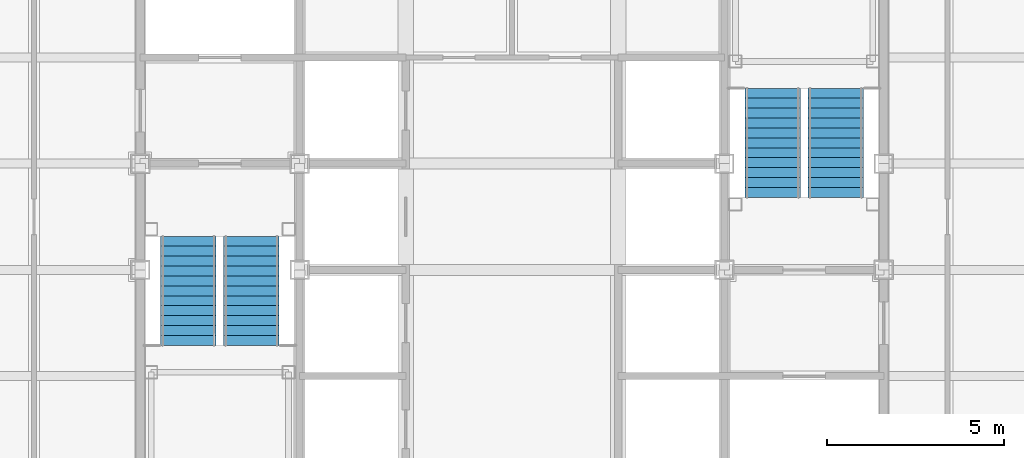
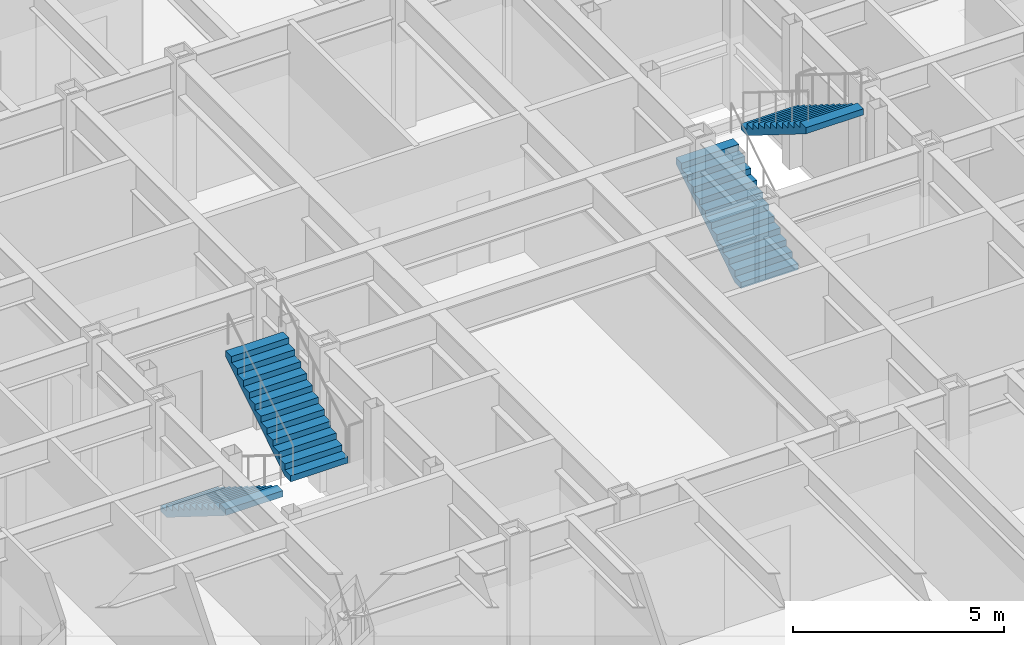
# One storey, part 14 of 16: 4 stair flights, 2 elements without a shape of their own.
"""IFC4 building model written with IfcOpenShell, lengths in metres."""

from ifc_helpers import new_model, si_unit, direction, frame, origin, place, context, subcontext, project, spatial, faceted_brep, material, type_object, element, aggregate, save


model = new_model("IFC4")

# Units and contexts
model_context = context("Model", 3, precision=1e-05, world=origin(), true_north=direction((0.0, 1.0)))
body_context = subcontext(model_context, "Body", "Model", "MODEL_VIEW")
ifc_project = project(units=[si_unit("LENGTHUNIT", "METRE"), si_unit("AREAUNIT", "SQUARE_METRE"), si_unit("VOLUMEUNIT", "CUBIC_METRE"), si_unit("PLANEANGLEUNIT", "RADIAN"), si_unit("MASSUNIT", "GRAM", prefix="KILO")], contexts=[model_context])

# Site, building, storey
site_placement = place(None, origin())
site = spatial("IfcSite", under=ifc_project, at=site_placement, CompositionType="ELEMENT")
building_placement = place(site_placement, origin())
building = spatial("IfcBuilding", under=site, at=building_placement, Name="Chuquiago Exchange Tower", CompositionType="ELEMENT")
storey_placement = place(building_placement, frame((0.0, 0.0, 239.10009765625)))
storey = spatial("IfcBuildingStorey", under=building, at=storey_placement, Name="L53", CompositionType="ELEMENT", Elevation=239.10009765625)

# Stair, stair flights
ifc_material_1 = material(Name="Concrete C30/37, precast", Category="concrete")
stair_type_1 = type_object("IfcStairType", Name="ST1 half-turn stair 4200", PredefinedType="HALF_TURN_STAIR", material=ifc_material_1)
stair_1_placement = place(storey_placement, origin())
stair_1 = element("IfcStair", 1, at=stair_1_placement, inside=storey, type_object=stair_type_1, Name="Stair ST1 L53", PredefinedType="HALF_TURN_STAIR")
ifc_material_2 = material(Name="Concrete C30/37, precast", Category="concrete")
stair_flight_type = type_object("IfcStairFlightType", Name="ST-F flight 1570 for 4200 storey", PredefinedType="STRAIGHT", material=ifc_material_2)
stair_flight_1_placement = place(storey_placement, frame((13.360107421875, 21.949951171875, 0.0), z_axis=(0.0, 0.0, 1.0), x_axis=(0.0, -1.0, 0.0)))
stair_flight_1 = element("IfcStairFlight", 2, at=stair_flight_1_placement, type_object=stair_flight_type, Name="ST1 flight 1", NumberOfRisers=12, NumberOfTreads=11, PredefinedType="STRAIGHT", RiserHeight=0.175, TreadLength=0.28, context=body_context, shape_type="Brep", body=[
    faceted_brep([(0.0, 0.78515625, 0.0), (0.0, 0.78515625, 0.175048828125), (0.280029296875, 0.78515625, 0.175048828125), (0.280029296875, 0.78515625, 0.35009765625), (0.56005859375, 0.78515625, 0.35009765625), (0.56005859375, 0.78515625, 0.52490234375), (0.840087890625, 0.78515625, 0.52490234375), (0.840087890625, 0.78515625, 0.699951171875), (1.1201171875, 0.78515625, 0.699951171875), (1.1201171875, 0.78515625, 0.875), (1.39990234375, 0.78515625, 0.875), (1.39990234375, 0.78515625, 1.050048828125), (1.679931640625, 0.78515625, 1.050048828125), (1.679931640625, 0.78515625, 1.22509765625), (1.9599609375, 0.78515625, 1.22509765625), (1.9599609375, 0.78515625, 1.39990234375), (2.239990234375, 0.78515625, 1.39990234375), (2.239990234375, 0.78515625, 1.574951171875), (2.52001953125, 0.78515625, 1.574951171875), (2.52001953125, 0.78515625, 1.75), (2.800048828125, 0.78515625, 1.75), (2.800048828125, 0.78515625, 1.925048828125), (3.080078125, 0.78515625, 1.925048828125), (3.080078125, 0.78515625, 1.748291015625), (0.28271484375, 0.78515625, 0.0), (0.28271484375, -0.78515625, 0.0), (3.080078125, -0.78515625, 1.748291015625), (3.080078125, -0.78515625, 1.925048828125), (2.800048828125, -0.78515625, 1.925048828125), (2.800048828125, -0.78515625, 1.75), (2.52001953125, -0.78515625, 1.75), (2.52001953125, -0.78515625, 1.574951171875), (2.239990234375, -0.78515625, 1.574951171875), (2.239990234375, -0.78515625, 1.39990234375), (1.9599609375, -0.78515625, 1.39990234375), (1.9599609375, -0.78515625, 1.22509765625), (1.679931640625, -0.78515625, 1.22509765625), (1.679931640625, -0.78515625, 1.050048828125), (1.39990234375, -0.78515625, 1.050048828125), (1.39990234375, -0.78515625, 0.875), (1.1201171875, -0.78515625, 0.875), (1.1201171875, -0.78515625, 0.699951171875), (0.840087890625, -0.78515625, 0.699951171875), (0.840087890625, -0.78515625, 0.52490234375), (0.56005859375, -0.78515625, 0.52490234375), (0.56005859375, -0.78515625, 0.35009765625), (0.280029296875, -0.78515625, 0.35009765625), (0.280029296875, -0.78515625, 0.175048828125), (0.0, -0.78515625, 0.175048828125), (0.0, -0.78515625, 0.0), (0.0, 0.392578125, 0.0), (0.0, 0.392578125, 0.175048828125), (0.0, 0.0, 0.0), (0.0, 0.0, 0.175048828125), (0.0, -0.392578125, 0.0), (0.0, -0.392578125, 0.175048828125), (0.280029296875, 0.392578125, 0.175048828125), (0.280029296875, 0.0, 0.175048828125), (0.280029296875, -0.392578125, 0.175048828125), (0.280029296875, 0.392578125, 0.35009765625), (0.280029296875, 0.0, 0.35009765625), (0.280029296875, -0.392578125, 0.35009765625), (0.56005859375, 0.392578125, 0.35009765625), (0.56005859375, 0.0, 0.35009765625), (0.56005859375, -0.392578125, 0.35009765625), (0.56005859375, 0.392578125, 0.52490234375), (0.56005859375, 0.0, 0.52490234375), (0.56005859375, -0.392578125, 0.52490234375), (0.840087890625, 0.392578125, 0.52490234375), (0.840087890625, 0.0, 0.52490234375), (0.840087890625, -0.392578125, 0.52490234375), (0.840087890625, 0.392578125, 0.699951171875), (0.840087890625, 0.0, 0.699951171875), (0.840087890625, -0.392578125, 0.699951171875), (1.1201171875, 0.392578125, 0.699951171875), (1.1201171875, 0.0, 0.699951171875), (1.1201171875, -0.392578125, 0.699951171875), (1.1201171875, 0.392578125, 0.875), (1.1201171875, 0.0, 0.875), (1.1201171875, -0.392578125, 0.875), (1.39990234375, 0.392578125, 0.875), (1.39990234375, 0.0, 0.875), (1.39990234375, -0.392578125, 0.875), (1.39990234375, 0.392578125, 1.050048828125), (1.39990234375, 0.0, 1.050048828125), (1.39990234375, -0.392578125, 1.050048828125), (1.679931640625, 0.392578125, 1.050048828125), (1.679931640625, 0.0, 1.050048828125), (1.679931640625, -0.392578125, 1.050048828125), (1.679931640625, 0.392578125, 1.22509765625), (1.679931640625, 0.0, 1.22509765625), (1.679931640625, -0.392578125, 1.22509765625), (1.9599609375, 0.392578125, 1.22509765625), (1.9599609375, 0.0, 1.22509765625), (1.9599609375, -0.392578125, 1.22509765625), (1.9599609375, 0.392578125, 1.39990234375), (1.9599609375, 0.0, 1.39990234375), (1.9599609375, -0.392578125, 1.39990234375), (2.239990234375, 0.392578125, 1.39990234375), (2.239990234375, 0.0, 1.39990234375), (2.239990234375, -0.392578125, 1.39990234375), (2.239990234375, 0.392578125, 1.574951171875), (2.239990234375, 0.0, 1.574951171875), (2.239990234375, -0.392578125, 1.574951171875), (2.52001953125, 0.392578125, 1.574951171875), (2.52001953125, 0.0, 1.574951171875), (2.52001953125, -0.392578125, 1.574951171875), (2.52001953125, 0.392578125, 1.75), (2.52001953125, 0.0, 1.75), (2.52001953125, -0.392578125, 1.75), (2.800048828125, 0.392578125, 1.75), (2.800048828125, 0.0, 1.75), (2.800048828125, -0.392578125, 1.75), (2.800048828125, 0.392578125, 1.925048828125), (2.800048828125, 0.0, 1.925048828125), (2.800048828125, -0.392578125, 1.925048828125), (3.080078125, 0.392578125, 1.925048828125), (3.080078125, 0.0, 1.925048828125), (3.080078125, -0.392578125, 1.925048828125), (3.080078125, 0.392578125, 1.748291015625), (3.080078125, 0.0, 1.748291015625), (3.080078125, -0.392578125, 1.748291015625), (0.28271484375, 0.392578125, 0.0), (0.28271484375, 0.0, 0.0), (0.28271484375, -0.392578125, 0.0)], [[[0, 1, 2, 3, 4, 5, 6, 7, 8, 9, 10, 11, 12, 13, 14, 15, 16, 17, 18, 19, 20, 21, 22, 23, 24]], [[25, 26, 27, 28, 29, 30, 31, 32, 33, 34, 35, 36, 37, 38, 39, 40, 41, 42, 43, 44, 45, 46, 47, 48, 49]], [[1, 0, 50, 51]], [[51, 50, 52, 53]], [[53, 52, 54, 55]], [[55, 54, 49, 48]], [[2, 1, 51, 56]], [[56, 51, 53, 57]], [[57, 53, 55, 58]], [[58, 55, 48, 47]], [[3, 2, 56, 59]], [[59, 56, 57, 60]], [[60, 57, 58, 61]], [[61, 58, 47, 46]], [[4, 3, 59, 62]], [[62, 59, 60, 63]], [[63, 60, 61, 64]], [[64, 61, 46, 45]], [[5, 4, 62, 65]], [[65, 62, 63, 66]], [[66, 63, 64, 67]], [[67, 64, 45, 44]], [[6, 5, 65, 68]], [[68, 65, 66, 69]], [[69, 66, 67, 70]], [[70, 67, 44, 43]], [[7, 6, 68, 71]], [[71, 68, 69, 72]], [[72, 69, 70, 73]], [[73, 70, 43, 42]], [[8, 7, 71, 74]], [[74, 71, 72, 75]], [[75, 72, 73, 76]], [[76, 73, 42, 41]], [[9, 8, 74, 77]], [[77, 74, 75, 78]], [[78, 75, 76, 79]], [[79, 76, 41, 40]], [[10, 9, 77, 80]], [[80, 77, 78, 81]], [[81, 78, 79, 82]], [[82, 79, 40, 39]], [[11, 10, 80, 83]], [[83, 80, 81, 84]], [[84, 81, 82, 85]], [[85, 82, 39, 38]], [[12, 11, 83, 86]], [[86, 83, 84, 87]], [[87, 84, 85, 88]], [[88, 85, 38, 37]], [[13, 12, 86, 89]], [[89, 86, 87, 90]], [[90, 87, 88, 91]], [[91, 88, 37, 36]], [[14, 13, 89, 92]], [[92, 89, 90, 93]], [[93, 90, 91, 94]], [[94, 91, 36, 35]], [[15, 14, 92, 95]], [[95, 92, 93, 96]], [[96, 93, 94, 97]], [[97, 94, 35, 34]], [[16, 15, 95, 98]], [[98, 95, 96, 99]], [[99, 96, 97, 100]], [[100, 97, 34, 33]], [[17, 16, 98, 101]], [[101, 98, 99, 102]], [[102, 99, 100, 103]], [[103, 100, 33, 32]], [[18, 17, 101, 104]], [[104, 101, 102, 105]], [[105, 102, 103, 106]], [[106, 103, 32, 31]], [[19, 18, 104, 107]], [[107, 104, 105, 108]], [[108, 105, 106, 109]], [[109, 106, 31, 30]], [[20, 19, 107, 110]], [[110, 107, 108, 111]], [[111, 108, 109, 112]], [[112, 109, 30, 29]], [[21, 20, 110, 113]], [[113, 110, 111, 114]], [[114, 111, 112, 115]], [[115, 112, 29, 28]], [[22, 21, 113, 116]], [[116, 113, 114, 117]], [[117, 114, 115, 118]], [[118, 115, 28, 27]], [[23, 22, 116, 119]], [[119, 116, 117, 120]], [[120, 117, 118, 121]], [[121, 118, 27, 26]], [[24, 23, 119, 122]], [[122, 119, 120, 123]], [[123, 120, 121, 124]], [[124, 121, 26, 25]], [[0, 24, 122, 50]], [[50, 122, 123, 52]], [[52, 123, 124, 54]], [[54, 124, 25, 49]]]),
])
stair_flight_2_placement = place(storey_placement, frame((15.139892578125, 18.8701171875, 2.099853515625), z_axis=(0.0, 0.0, 1.0), x_axis=(0.0, 1.0, 0.0)))
stair_flight_2 = element("IfcStairFlight", 3, at=stair_flight_2_placement, type_object=stair_flight_type, Name="ST1 flight 2", NumberOfRisers=12, NumberOfTreads=11, PredefinedType="STRAIGHT", RiserHeight=0.175, TreadLength=0.28, context=body_context, shape_type="Brep", body=[
    faceted_brep([(0.0, 0.78515625, 0.0), (0.0, 0.78515625, 0.175048828125), (0.280029296875, 0.78515625, 0.175048828125), (0.280029296875, 0.78515625, 0.35009765625), (0.56005859375, 0.78515625, 0.35009765625), (0.56005859375, 0.78515625, 0.52490234375), (0.840087890625, 0.78515625, 0.52490234375), (0.840087890625, 0.78515625, 0.699951171875), (1.1201171875, 0.78515625, 0.699951171875), (1.1201171875, 0.78515625, 0.875), (1.39990234375, 0.78515625, 0.875), (1.39990234375, 0.78515625, 1.050048828125), (1.679931640625, 0.78515625, 1.050048828125), (1.679931640625, 0.78515625, 1.22509765625), (1.9599609375, 0.78515625, 1.22509765625), (1.9599609375, 0.78515625, 1.39990234375), (2.239990234375, 0.78515625, 1.39990234375), (2.239990234375, 0.78515625, 1.574951171875), (2.52001953125, 0.78515625, 1.574951171875), (2.52001953125, 0.78515625, 1.75), (2.800048828125, 0.78515625, 1.75), (2.800048828125, 0.78515625, 1.925048828125), (3.080078125, 0.78515625, 1.925048828125), (3.080078125, 0.78515625, 1.748291015625), (0.28271484375, 0.78515625, 0.0), (0.28271484375, -0.78515625, 0.0), (3.080078125, -0.78515625, 1.748291015625), (3.080078125, -0.78515625, 1.925048828125), (2.800048828125, -0.78515625, 1.925048828125), (2.800048828125, -0.78515625, 1.75), (2.52001953125, -0.78515625, 1.75), (2.52001953125, -0.78515625, 1.574951171875), (2.239990234375, -0.78515625, 1.574951171875), (2.239990234375, -0.78515625, 1.39990234375), (1.9599609375, -0.78515625, 1.39990234375), (1.9599609375, -0.78515625, 1.22509765625), (1.679931640625, -0.78515625, 1.22509765625), (1.679931640625, -0.78515625, 1.050048828125), (1.39990234375, -0.78515625, 1.050048828125), (1.39990234375, -0.78515625, 0.875), (1.1201171875, -0.78515625, 0.875), (1.1201171875, -0.78515625, 0.699951171875), (0.840087890625, -0.78515625, 0.699951171875), (0.840087890625, -0.78515625, 0.52490234375), (0.56005859375, -0.78515625, 0.52490234375), (0.56005859375, -0.78515625, 0.35009765625), (0.280029296875, -0.78515625, 0.35009765625), (0.280029296875, -0.78515625, 0.175048828125), (0.0, -0.78515625, 0.175048828125), (0.0, -0.78515625, 0.0), (0.0, 0.392578125, 0.0), (0.0, 0.392578125, 0.175048828125), (0.0, 0.0, 0.0), (0.0, 0.0, 0.175048828125), (0.0, -0.392578125, 0.0), (0.0, -0.392578125, 0.175048828125), (0.280029296875, 0.392578125, 0.175048828125), (0.280029296875, 0.0, 0.175048828125), (0.280029296875, -0.392578125, 0.175048828125), (0.280029296875, 0.392578125, 0.35009765625), (0.280029296875, 0.0, 0.35009765625), (0.280029296875, -0.392578125, 0.35009765625), (0.56005859375, 0.392578125, 0.35009765625), (0.56005859375, 0.0, 0.35009765625), (0.56005859375, -0.392578125, 0.35009765625), (0.56005859375, 0.392578125, 0.52490234375), (0.56005859375, 0.0, 0.52490234375), (0.56005859375, -0.392578125, 0.52490234375), (0.840087890625, 0.392578125, 0.52490234375), (0.840087890625, 0.0, 0.52490234375), (0.840087890625, -0.392578125, 0.52490234375), (0.840087890625, 0.392578125, 0.699951171875), (0.840087890625, 0.0, 0.699951171875), (0.840087890625, -0.392578125, 0.699951171875), (1.1201171875, 0.392578125, 0.699951171875), (1.1201171875, 0.0, 0.699951171875), (1.1201171875, -0.392578125, 0.699951171875), (1.1201171875, 0.392578125, 0.875), (1.1201171875, 0.0, 0.875), (1.1201171875, -0.392578125, 0.875), (1.39990234375, 0.392578125, 0.875), (1.39990234375, 0.0, 0.875), (1.39990234375, -0.392578125, 0.875), (1.39990234375, 0.392578125, 1.050048828125), (1.39990234375, 0.0, 1.050048828125), (1.39990234375, -0.392578125, 1.050048828125), (1.679931640625, 0.392578125, 1.050048828125), (1.679931640625, 0.0, 1.050048828125), (1.679931640625, -0.392578125, 1.050048828125), (1.679931640625, 0.392578125, 1.22509765625), (1.679931640625, 0.0, 1.22509765625), (1.679931640625, -0.392578125, 1.22509765625), (1.9599609375, 0.392578125, 1.22509765625), (1.9599609375, 0.0, 1.22509765625), (1.9599609375, -0.392578125, 1.22509765625), (1.9599609375, 0.392578125, 1.39990234375), (1.9599609375, 0.0, 1.39990234375), (1.9599609375, -0.392578125, 1.39990234375), (2.239990234375, 0.392578125, 1.39990234375), (2.239990234375, 0.0, 1.39990234375), (2.239990234375, -0.392578125, 1.39990234375), (2.239990234375, 0.392578125, 1.574951171875), (2.239990234375, 0.0, 1.574951171875), (2.239990234375, -0.392578125, 1.574951171875), (2.52001953125, 0.392578125, 1.574951171875), (2.52001953125, 0.0, 1.574951171875), (2.52001953125, -0.392578125, 1.574951171875), (2.52001953125, 0.392578125, 1.75), (2.52001953125, 0.0, 1.75), (2.52001953125, -0.392578125, 1.75), (2.800048828125, 0.392578125, 1.75), (2.800048828125, 0.0, 1.75), (2.800048828125, -0.392578125, 1.75), (2.800048828125, 0.392578125, 1.925048828125), (2.800048828125, 0.0, 1.925048828125), (2.800048828125, -0.392578125, 1.925048828125), (3.080078125, 0.392578125, 1.925048828125), (3.080078125, 0.0, 1.925048828125), (3.080078125, -0.392578125, 1.925048828125), (3.080078125, 0.392578125, 1.748291015625), (3.080078125, 0.0, 1.748291015625), (3.080078125, -0.392578125, 1.748291015625), (0.28271484375, 0.392578125, 0.0), (0.28271484375, 0.0, 0.0), (0.28271484375, -0.392578125, 0.0)], [[[0, 1, 2, 3, 4, 5, 6, 7, 8, 9, 10, 11, 12, 13, 14, 15, 16, 17, 18, 19, 20, 21, 22, 23, 24]], [[25, 26, 27, 28, 29, 30, 31, 32, 33, 34, 35, 36, 37, 38, 39, 40, 41, 42, 43, 44, 45, 46, 47, 48, 49]], [[1, 0, 50, 51]], [[51, 50, 52, 53]], [[53, 52, 54, 55]], [[55, 54, 49, 48]], [[2, 1, 51, 56]], [[56, 51, 53, 57]], [[57, 53, 55, 58]], [[58, 55, 48, 47]], [[3, 2, 56, 59]], [[59, 56, 57, 60]], [[60, 57, 58, 61]], [[61, 58, 47, 46]], [[4, 3, 59, 62]], [[62, 59, 60, 63]], [[63, 60, 61, 64]], [[64, 61, 46, 45]], [[5, 4, 62, 65]], [[65, 62, 63, 66]], [[66, 63, 64, 67]], [[67, 64, 45, 44]], [[6, 5, 65, 68]], [[68, 65, 66, 69]], [[69, 66, 67, 70]], [[70, 67, 44, 43]], [[7, 6, 68, 71]], [[71, 68, 69, 72]], [[72, 69, 70, 73]], [[73, 70, 43, 42]], [[8, 7, 71, 74]], [[74, 71, 72, 75]], [[75, 72, 73, 76]], [[76, 73, 42, 41]], [[9, 8, 74, 77]], [[77, 74, 75, 78]], [[78, 75, 76, 79]], [[79, 76, 41, 40]], [[10, 9, 77, 80]], [[80, 77, 78, 81]], [[81, 78, 79, 82]], [[82, 79, 40, 39]], [[11, 10, 80, 83]], [[83, 80, 81, 84]], [[84, 81, 82, 85]], [[85, 82, 39, 38]], [[12, 11, 83, 86]], [[86, 83, 84, 87]], [[87, 84, 85, 88]], [[88, 85, 38, 37]], [[13, 12, 86, 89]], [[89, 86, 87, 90]], [[90, 87, 88, 91]], [[91, 88, 37, 36]], [[14, 13, 89, 92]], [[92, 89, 90, 93]], [[93, 90, 91, 94]], [[94, 91, 36, 35]], [[15, 14, 92, 95]], [[95, 92, 93, 96]], [[96, 93, 94, 97]], [[97, 94, 35, 34]], [[16, 15, 95, 98]], [[98, 95, 96, 99]], [[99, 96, 97, 100]], [[100, 97, 34, 33]], [[17, 16, 98, 101]], [[101, 98, 99, 102]], [[102, 99, 100, 103]], [[103, 100, 33, 32]], [[18, 17, 101, 104]], [[104, 101, 102, 105]], [[105, 102, 103, 106]], [[106, 103, 32, 31]], [[19, 18, 104, 107]], [[107, 104, 105, 108]], [[108, 105, 106, 109]], [[109, 106, 31, 30]], [[20, 19, 107, 110]], [[110, 107, 108, 111]], [[111, 108, 109, 112]], [[112, 109, 30, 29]], [[21, 20, 110, 113]], [[113, 110, 111, 114]], [[114, 111, 112, 115]], [[115, 112, 29, 28]], [[22, 21, 113, 116]], [[116, 113, 114, 117]], [[117, 114, 115, 118]], [[118, 115, 28, 27]], [[23, 22, 116, 119]], [[119, 116, 117, 120]], [[120, 117, 118, 121]], [[121, 118, 27, 26]], [[24, 23, 119, 122]], [[122, 119, 120, 123]], [[123, 120, 121, 124]], [[124, 121, 26, 25]], [[0, 24, 122, 50]], [[50, 122, 123, 52]], [[52, 123, 124, 54]], [[54, 124, 25, 49]]]),
])
aggregate(stair_1, [stair_flight_1, stair_flight_2])

ifc_material_3 = material(Name="Concrete C30/37, precast", Category="concrete")
stair_type_2 = type_object("IfcStairType", Name="ST2 half-turn stair 4200", PredefinedType="HALF_TURN_STAIR", material=ifc_material_3)
stair_2_placement = place(storey_placement, origin())
stair_2 = element("IfcStair", 4, at=stair_2_placement, inside=storey, type_object=stair_type_2, Name="Stair ST2 L53", PredefinedType="HALF_TURN_STAIR")
stair_flight_3_placement = place(storey_placement, frame((29.860107421875, 23.050048828125, 0.0), z_axis=(0.0, 0.0, 1.0), x_axis=(0.0, 1.0, 0.0)))
stair_flight_3 = element("IfcStairFlight", 5, at=stair_flight_3_placement, type_object=stair_flight_type, Name="ST2 flight 1", NumberOfRisers=12, NumberOfTreads=11, PredefinedType="STRAIGHT", RiserHeight=0.175, TreadLength=0.28, context=body_context, shape_type="Brep", body=[
    faceted_brep([(0.0, 0.78515625, 0.0), (0.0, 0.78515625, 0.175048828125), (0.280029296875, 0.78515625, 0.175048828125), (0.280029296875, 0.78515625, 0.35009765625), (0.56005859375, 0.78515625, 0.35009765625), (0.56005859375, 0.78515625, 0.52490234375), (0.840087890625, 0.78515625, 0.52490234375), (0.840087890625, 0.78515625, 0.699951171875), (1.1201171875, 0.78515625, 0.699951171875), (1.1201171875, 0.78515625, 0.875), (1.39990234375, 0.78515625, 0.875), (1.39990234375, 0.78515625, 1.050048828125), (1.679931640625, 0.78515625, 1.050048828125), (1.679931640625, 0.78515625, 1.22509765625), (1.9599609375, 0.78515625, 1.22509765625), (1.9599609375, 0.78515625, 1.39990234375), (2.239990234375, 0.78515625, 1.39990234375), (2.239990234375, 0.78515625, 1.574951171875), (2.52001953125, 0.78515625, 1.574951171875), (2.52001953125, 0.78515625, 1.75), (2.800048828125, 0.78515625, 1.75), (2.800048828125, 0.78515625, 1.925048828125), (3.080078125, 0.78515625, 1.925048828125), (3.080078125, 0.78515625, 1.748291015625), (0.28271484375, 0.78515625, 0.0), (0.28271484375, -0.78515625, 0.0), (3.080078125, -0.78515625, 1.748291015625), (3.080078125, -0.78515625, 1.925048828125), (2.800048828125, -0.78515625, 1.925048828125), (2.800048828125, -0.78515625, 1.75), (2.52001953125, -0.78515625, 1.75), (2.52001953125, -0.78515625, 1.574951171875), (2.239990234375, -0.78515625, 1.574951171875), (2.239990234375, -0.78515625, 1.39990234375), (1.9599609375, -0.78515625, 1.39990234375), (1.9599609375, -0.78515625, 1.22509765625), (1.679931640625, -0.78515625, 1.22509765625), (1.679931640625, -0.78515625, 1.050048828125), (1.39990234375, -0.78515625, 1.050048828125), (1.39990234375, -0.78515625, 0.875), (1.1201171875, -0.78515625, 0.875), (1.1201171875, -0.78515625, 0.699951171875), (0.840087890625, -0.78515625, 0.699951171875), (0.840087890625, -0.78515625, 0.52490234375), (0.56005859375, -0.78515625, 0.52490234375), (0.56005859375, -0.78515625, 0.35009765625), (0.280029296875, -0.78515625, 0.35009765625), (0.280029296875, -0.78515625, 0.175048828125), (0.0, -0.78515625, 0.175048828125), (0.0, -0.78515625, 0.0), (0.0, 0.392578125, 0.0), (0.0, 0.392578125, 0.175048828125), (0.0, 0.0, 0.0), (0.0, 0.0, 0.175048828125), (0.0, -0.392578125, 0.0), (0.0, -0.392578125, 0.175048828125), (0.280029296875, 0.392578125, 0.175048828125), (0.280029296875, 0.0, 0.175048828125), (0.280029296875, -0.392578125, 0.175048828125), (0.280029296875, 0.392578125, 0.35009765625), (0.280029296875, 0.0, 0.35009765625), (0.280029296875, -0.392578125, 0.35009765625), (0.56005859375, 0.392578125, 0.35009765625), (0.56005859375, 0.0, 0.35009765625), (0.56005859375, -0.392578125, 0.35009765625), (0.56005859375, 0.392578125, 0.52490234375), (0.56005859375, 0.0, 0.52490234375), (0.56005859375, -0.392578125, 0.52490234375), (0.840087890625, 0.392578125, 0.52490234375), (0.840087890625, 0.0, 0.52490234375), (0.840087890625, -0.392578125, 0.52490234375), (0.840087890625, 0.392578125, 0.699951171875), (0.840087890625, 0.0, 0.699951171875), (0.840087890625, -0.392578125, 0.699951171875), (1.1201171875, 0.392578125, 0.699951171875), (1.1201171875, 0.0, 0.699951171875), (1.1201171875, -0.392578125, 0.699951171875), (1.1201171875, 0.392578125, 0.875), (1.1201171875, 0.0, 0.875), (1.1201171875, -0.392578125, 0.875), (1.39990234375, 0.392578125, 0.875), (1.39990234375, 0.0, 0.875), (1.39990234375, -0.392578125, 0.875), (1.39990234375, 0.392578125, 1.050048828125), (1.39990234375, 0.0, 1.050048828125), (1.39990234375, -0.392578125, 1.050048828125), (1.679931640625, 0.392578125, 1.050048828125), (1.679931640625, 0.0, 1.050048828125), (1.679931640625, -0.392578125, 1.050048828125), (1.679931640625, 0.392578125, 1.22509765625), (1.679931640625, 0.0, 1.22509765625), (1.679931640625, -0.392578125, 1.22509765625), (1.9599609375, 0.392578125, 1.22509765625), (1.9599609375, 0.0, 1.22509765625), (1.9599609375, -0.392578125, 1.22509765625), (1.9599609375, 0.392578125, 1.39990234375), (1.9599609375, 0.0, 1.39990234375), (1.9599609375, -0.392578125, 1.39990234375), (2.239990234375, 0.392578125, 1.39990234375), (2.239990234375, 0.0, 1.39990234375), (2.239990234375, -0.392578125, 1.39990234375), (2.239990234375, 0.392578125, 1.574951171875), (2.239990234375, 0.0, 1.574951171875), (2.239990234375, -0.392578125, 1.574951171875), (2.52001953125, 0.392578125, 1.574951171875), (2.52001953125, 0.0, 1.574951171875), (2.52001953125, -0.392578125, 1.574951171875), (2.52001953125, 0.392578125, 1.75), (2.52001953125, 0.0, 1.75), (2.52001953125, -0.392578125, 1.75), (2.800048828125, 0.392578125, 1.75), (2.800048828125, 0.0, 1.75), (2.800048828125, -0.392578125, 1.75), (2.800048828125, 0.392578125, 1.925048828125), (2.800048828125, 0.0, 1.925048828125), (2.800048828125, -0.392578125, 1.925048828125), (3.080078125, 0.392578125, 1.925048828125), (3.080078125, 0.0, 1.925048828125), (3.080078125, -0.392578125, 1.925048828125), (3.080078125, 0.392578125, 1.748291015625), (3.080078125, 0.0, 1.748291015625), (3.080078125, -0.392578125, 1.748291015625), (0.28271484375, 0.392578125, 0.0), (0.28271484375, 0.0, 0.0), (0.28271484375, -0.392578125, 0.0)], [[[0, 1, 2, 3, 4, 5, 6, 7, 8, 9, 10, 11, 12, 13, 14, 15, 16, 17, 18, 19, 20, 21, 22, 23, 24]], [[25, 26, 27, 28, 29, 30, 31, 32, 33, 34, 35, 36, 37, 38, 39, 40, 41, 42, 43, 44, 45, 46, 47, 48, 49]], [[1, 0, 50, 51]], [[51, 50, 52, 53]], [[53, 52, 54, 55]], [[55, 54, 49, 48]], [[2, 1, 51, 56]], [[56, 51, 53, 57]], [[57, 53, 55, 58]], [[58, 55, 48, 47]], [[3, 2, 56, 59]], [[59, 56, 57, 60]], [[60, 57, 58, 61]], [[61, 58, 47, 46]], [[4, 3, 59, 62]], [[62, 59, 60, 63]], [[63, 60, 61, 64]], [[64, 61, 46, 45]], [[5, 4, 62, 65]], [[65, 62, 63, 66]], [[66, 63, 64, 67]], [[67, 64, 45, 44]], [[6, 5, 65, 68]], [[68, 65, 66, 69]], [[69, 66, 67, 70]], [[70, 67, 44, 43]], [[7, 6, 68, 71]], [[71, 68, 69, 72]], [[72, 69, 70, 73]], [[73, 70, 43, 42]], [[8, 7, 71, 74]], [[74, 71, 72, 75]], [[75, 72, 73, 76]], [[76, 73, 42, 41]], [[9, 8, 74, 77]], [[77, 74, 75, 78]], [[78, 75, 76, 79]], [[79, 76, 41, 40]], [[10, 9, 77, 80]], [[80, 77, 78, 81]], [[81, 78, 79, 82]], [[82, 79, 40, 39]], [[11, 10, 80, 83]], [[83, 80, 81, 84]], [[84, 81, 82, 85]], [[85, 82, 39, 38]], [[12, 11, 83, 86]], [[86, 83, 84, 87]], [[87, 84, 85, 88]], [[88, 85, 38, 37]], [[13, 12, 86, 89]], [[89, 86, 87, 90]], [[90, 87, 88, 91]], [[91, 88, 37, 36]], [[14, 13, 89, 92]], [[92, 89, 90, 93]], [[93, 90, 91, 94]], [[94, 91, 36, 35]], [[15, 14, 92, 95]], [[95, 92, 93, 96]], [[96, 93, 94, 97]], [[97, 94, 35, 34]], [[16, 15, 95, 98]], [[98, 95, 96, 99]], [[99, 96, 97, 100]], [[100, 97, 34, 33]], [[17, 16, 98, 101]], [[101, 98, 99, 102]], [[102, 99, 100, 103]], [[103, 100, 33, 32]], [[18, 17, 101, 104]], [[104, 101, 102, 105]], [[105, 102, 103, 106]], [[106, 103, 32, 31]], [[19, 18, 104, 107]], [[107, 104, 105, 108]], [[108, 105, 106, 109]], [[109, 106, 31, 30]], [[20, 19, 107, 110]], [[110, 107, 108, 111]], [[111, 108, 109, 112]], [[112, 109, 30, 29]], [[21, 20, 110, 113]], [[113, 110, 111, 114]], [[114, 111, 112, 115]], [[115, 112, 29, 28]], [[22, 21, 113, 116]], [[116, 113, 114, 117]], [[117, 114, 115, 118]], [[118, 115, 28, 27]], [[23, 22, 116, 119]], [[119, 116, 117, 120]], [[120, 117, 118, 121]], [[121, 118, 27, 26]], [[24, 23, 119, 122]], [[122, 119, 120, 123]], [[123, 120, 121, 124]], [[124, 121, 26, 25]], [[0, 24, 122, 50]], [[50, 122, 123, 52]], [[52, 123, 124, 54]], [[54, 124, 25, 49]]]),
])
stair_flight_4_placement = place(storey_placement, frame((31.639892578125, 26.1298828125, 2.099853515625), z_axis=(0.0, 0.0, 1.0), x_axis=(0.0, -1.0, 0.0)))
stair_flight_4 = element("IfcStairFlight", 6, at=stair_flight_4_placement, type_object=stair_flight_type, Name="ST2 flight 2", NumberOfRisers=12, NumberOfTreads=11, PredefinedType="STRAIGHT", RiserHeight=0.175, TreadLength=0.28, context=body_context, shape_type="Brep", body=[
    faceted_brep([(0.0, 0.78515625, 0.0), (0.0, 0.78515625, 0.175048828125), (0.280029296875, 0.78515625, 0.175048828125), (0.280029296875, 0.78515625, 0.35009765625), (0.56005859375, 0.78515625, 0.35009765625), (0.56005859375, 0.78515625, 0.52490234375), (0.840087890625, 0.78515625, 0.52490234375), (0.840087890625, 0.78515625, 0.699951171875), (1.1201171875, 0.78515625, 0.699951171875), (1.1201171875, 0.78515625, 0.875), (1.39990234375, 0.78515625, 0.875), (1.39990234375, 0.78515625, 1.050048828125), (1.679931640625, 0.78515625, 1.050048828125), (1.679931640625, 0.78515625, 1.22509765625), (1.9599609375, 0.78515625, 1.22509765625), (1.9599609375, 0.78515625, 1.39990234375), (2.239990234375, 0.78515625, 1.39990234375), (2.239990234375, 0.78515625, 1.574951171875), (2.52001953125, 0.78515625, 1.574951171875), (2.52001953125, 0.78515625, 1.75), (2.800048828125, 0.78515625, 1.75), (2.800048828125, 0.78515625, 1.925048828125), (3.080078125, 0.78515625, 1.925048828125), (3.080078125, 0.78515625, 1.748291015625), (0.28271484375, 0.78515625, 0.0), (0.28271484375, -0.78515625, 0.0), (3.080078125, -0.78515625, 1.748291015625), (3.080078125, -0.78515625, 1.925048828125), (2.800048828125, -0.78515625, 1.925048828125), (2.800048828125, -0.78515625, 1.75), (2.52001953125, -0.78515625, 1.75), (2.52001953125, -0.78515625, 1.574951171875), (2.239990234375, -0.78515625, 1.574951171875), (2.239990234375, -0.78515625, 1.39990234375), (1.9599609375, -0.78515625, 1.39990234375), (1.9599609375, -0.78515625, 1.22509765625), (1.679931640625, -0.78515625, 1.22509765625), (1.679931640625, -0.78515625, 1.050048828125), (1.39990234375, -0.78515625, 1.050048828125), (1.39990234375, -0.78515625, 0.875), (1.1201171875, -0.78515625, 0.875), (1.1201171875, -0.78515625, 0.699951171875), (0.840087890625, -0.78515625, 0.699951171875), (0.840087890625, -0.78515625, 0.52490234375), (0.56005859375, -0.78515625, 0.52490234375), (0.56005859375, -0.78515625, 0.35009765625), (0.280029296875, -0.78515625, 0.35009765625), (0.280029296875, -0.78515625, 0.175048828125), (0.0, -0.78515625, 0.175048828125), (0.0, -0.78515625, 0.0), (0.0, 0.392578125, 0.0), (0.0, 0.392578125, 0.175048828125), (0.0, 0.0, 0.0), (0.0, 0.0, 0.175048828125), (0.0, -0.392578125, 0.0), (0.0, -0.392578125, 0.175048828125), (0.280029296875, 0.392578125, 0.175048828125), (0.280029296875, 0.0, 0.175048828125), (0.280029296875, -0.392578125, 0.175048828125), (0.280029296875, 0.392578125, 0.35009765625), (0.280029296875, 0.0, 0.35009765625), (0.280029296875, -0.392578125, 0.35009765625), (0.56005859375, 0.392578125, 0.35009765625), (0.56005859375, 0.0, 0.35009765625), (0.56005859375, -0.392578125, 0.35009765625), (0.56005859375, 0.392578125, 0.52490234375), (0.56005859375, 0.0, 0.52490234375), (0.56005859375, -0.392578125, 0.52490234375), (0.840087890625, 0.392578125, 0.52490234375), (0.840087890625, 0.0, 0.52490234375), (0.840087890625, -0.392578125, 0.52490234375), (0.840087890625, 0.392578125, 0.699951171875), (0.840087890625, 0.0, 0.699951171875), (0.840087890625, -0.392578125, 0.699951171875), (1.1201171875, 0.392578125, 0.699951171875), (1.1201171875, 0.0, 0.699951171875), (1.1201171875, -0.392578125, 0.699951171875), (1.1201171875, 0.392578125, 0.875), (1.1201171875, 0.0, 0.875), (1.1201171875, -0.392578125, 0.875), (1.39990234375, 0.392578125, 0.875), (1.39990234375, 0.0, 0.875), (1.39990234375, -0.392578125, 0.875), (1.39990234375, 0.392578125, 1.050048828125), (1.39990234375, 0.0, 1.050048828125), (1.39990234375, -0.392578125, 1.050048828125), (1.679931640625, 0.392578125, 1.050048828125), (1.679931640625, 0.0, 1.050048828125), (1.679931640625, -0.392578125, 1.050048828125), (1.679931640625, 0.392578125, 1.22509765625), (1.679931640625, 0.0, 1.22509765625), (1.679931640625, -0.392578125, 1.22509765625), (1.9599609375, 0.392578125, 1.22509765625), (1.9599609375, 0.0, 1.22509765625), (1.9599609375, -0.392578125, 1.22509765625), (1.9599609375, 0.392578125, 1.39990234375), (1.9599609375, 0.0, 1.39990234375), (1.9599609375, -0.392578125, 1.39990234375), (2.239990234375, 0.392578125, 1.39990234375), (2.239990234375, 0.0, 1.39990234375), (2.239990234375, -0.392578125, 1.39990234375), (2.239990234375, 0.392578125, 1.574951171875), (2.239990234375, 0.0, 1.574951171875), (2.239990234375, -0.392578125, 1.574951171875), (2.52001953125, 0.392578125, 1.574951171875), (2.52001953125, 0.0, 1.574951171875), (2.52001953125, -0.392578125, 1.574951171875), (2.52001953125, 0.392578125, 1.75), (2.52001953125, 0.0, 1.75), (2.52001953125, -0.392578125, 1.75), (2.800048828125, 0.392578125, 1.75), (2.800048828125, 0.0, 1.75), (2.800048828125, -0.392578125, 1.75), (2.800048828125, 0.392578125, 1.925048828125), (2.800048828125, 0.0, 1.925048828125), (2.800048828125, -0.392578125, 1.925048828125), (3.080078125, 0.392578125, 1.925048828125), (3.080078125, 0.0, 1.925048828125), (3.080078125, -0.392578125, 1.925048828125), (3.080078125, 0.392578125, 1.748291015625), (3.080078125, 0.0, 1.748291015625), (3.080078125, -0.392578125, 1.748291015625), (0.28271484375, 0.392578125, 0.0), (0.28271484375, 0.0, 0.0), (0.28271484375, -0.392578125, 0.0)], [[[0, 1, 2, 3, 4, 5, 6, 7, 8, 9, 10, 11, 12, 13, 14, 15, 16, 17, 18, 19, 20, 21, 22, 23, 24]], [[25, 26, 27, 28, 29, 30, 31, 32, 33, 34, 35, 36, 37, 38, 39, 40, 41, 42, 43, 44, 45, 46, 47, 48, 49]], [[1, 0, 50, 51]], [[51, 50, 52, 53]], [[53, 52, 54, 55]], [[55, 54, 49, 48]], [[2, 1, 51, 56]], [[56, 51, 53, 57]], [[57, 53, 55, 58]], [[58, 55, 48, 47]], [[3, 2, 56, 59]], [[59, 56, 57, 60]], [[60, 57, 58, 61]], [[61, 58, 47, 46]], [[4, 3, 59, 62]], [[62, 59, 60, 63]], [[63, 60, 61, 64]], [[64, 61, 46, 45]], [[5, 4, 62, 65]], [[65, 62, 63, 66]], [[66, 63, 64, 67]], [[67, 64, 45, 44]], [[6, 5, 65, 68]], [[68, 65, 66, 69]], [[69, 66, 67, 70]], [[70, 67, 44, 43]], [[7, 6, 68, 71]], [[71, 68, 69, 72]], [[72, 69, 70, 73]], [[73, 70, 43, 42]], [[8, 7, 71, 74]], [[74, 71, 72, 75]], [[75, 72, 73, 76]], [[76, 73, 42, 41]], [[9, 8, 74, 77]], [[77, 74, 75, 78]], [[78, 75, 76, 79]], [[79, 76, 41, 40]], [[10, 9, 77, 80]], [[80, 77, 78, 81]], [[81, 78, 79, 82]], [[82, 79, 40, 39]], [[11, 10, 80, 83]], [[83, 80, 81, 84]], [[84, 81, 82, 85]], [[85, 82, 39, 38]], [[12, 11, 83, 86]], [[86, 83, 84, 87]], [[87, 84, 85, 88]], [[88, 85, 38, 37]], [[13, 12, 86, 89]], [[89, 86, 87, 90]], [[90, 87, 88, 91]], [[91, 88, 37, 36]], [[14, 13, 89, 92]], [[92, 89, 90, 93]], [[93, 90, 91, 94]], [[94, 91, 36, 35]], [[15, 14, 92, 95]], [[95, 92, 93, 96]], [[96, 93, 94, 97]], [[97, 94, 35, 34]], [[16, 15, 95, 98]], [[98, 95, 96, 99]], [[99, 96, 97, 100]], [[100, 97, 34, 33]], [[17, 16, 98, 101]], [[101, 98, 99, 102]], [[102, 99, 100, 103]], [[103, 100, 33, 32]], [[18, 17, 101, 104]], [[104, 101, 102, 105]], [[105, 102, 103, 106]], [[106, 103, 32, 31]], [[19, 18, 104, 107]], [[107, 104, 105, 108]], [[108, 105, 106, 109]], [[109, 106, 31, 30]], [[20, 19, 107, 110]], [[110, 107, 108, 111]], [[111, 108, 109, 112]], [[112, 109, 30, 29]], [[21, 20, 110, 113]], [[113, 110, 111, 114]], [[114, 111, 112, 115]], [[115, 112, 29, 28]], [[22, 21, 113, 116]], [[116, 113, 114, 117]], [[117, 114, 115, 118]], [[118, 115, 28, 27]], [[23, 22, 116, 119]], [[119, 116, 117, 120]], [[120, 117, 118, 121]], [[121, 118, 27, 26]], [[24, 23, 119, 122]], [[122, 119, 120, 123]], [[123, 120, 121, 124]], [[124, 121, 26, 25]], [[0, 24, 122, 50]], [[50, 122, 123, 52]], [[52, 123, 124, 54]], [[54, 124, 25, 49]]]),
])
aggregate(stair_2, [stair_flight_3, stair_flight_4])

save(model, "model.ifc")
